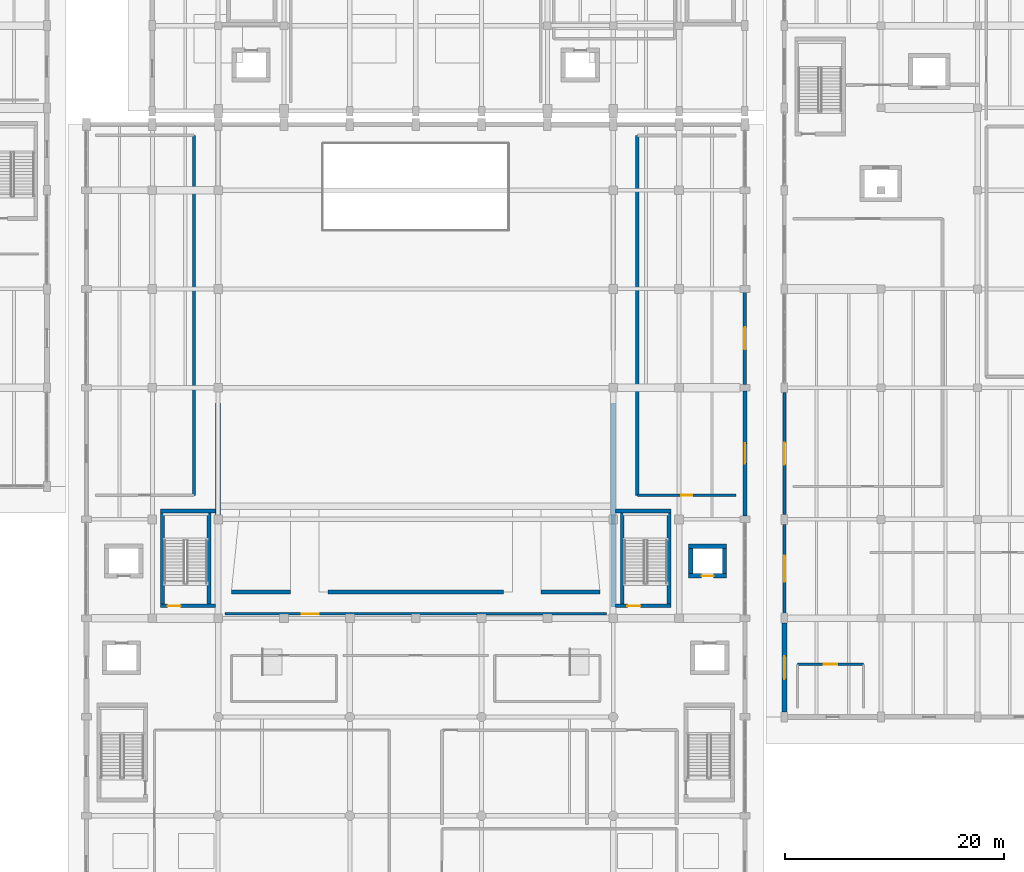
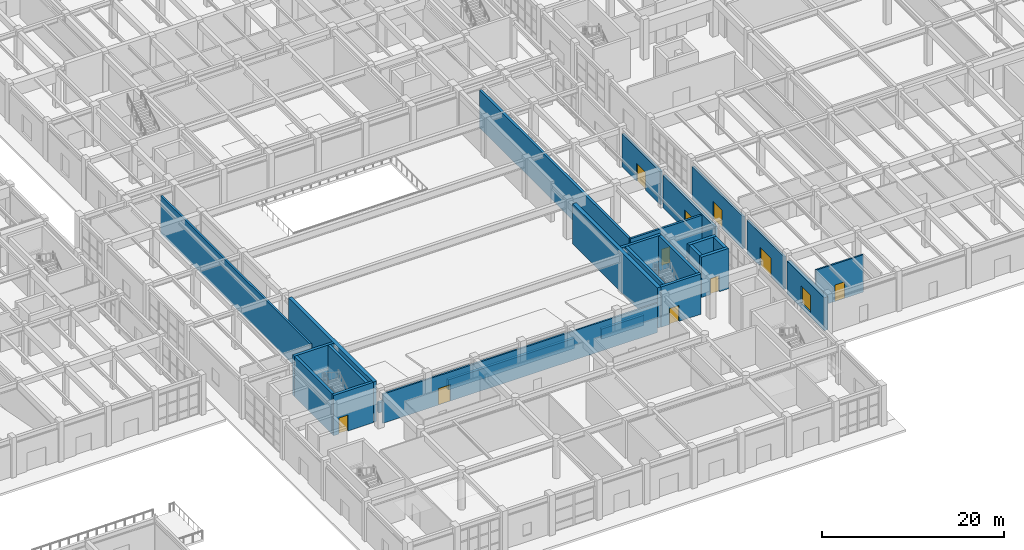
# One storey, part 72 of 91: 27 walls, 9 doors, 2 windows, 11 openings.
"""IFC4 building model written with IfcOpenShell, lengths in metres."""

from ifc_helpers import new_model, si_unit, direction, frame, frame_2d, origin, place, context, subcontext, project, spatial, rectangle, extrude, material, layer, layer_set, type_object, element, fill, save


model = new_model("IFC4")

# Units and contexts
model_context = context("Model", 3, precision=1e-05, world=origin(), true_north=direction((0.0, 1.0)))
body_context = subcontext(model_context, "Body", "Model", "MODEL_VIEW")
ifc_project = project(units=[si_unit("LENGTHUNIT", "METRE"), si_unit("AREAUNIT", "SQUARE_METRE"), si_unit("VOLUMEUNIT", "CUBIC_METRE"), si_unit("PLANEANGLEUNIT", "RADIAN"), si_unit("MASSUNIT", "GRAM", prefix="KILO")], contexts=[model_context])

# Site, building, storey
site_placement = place(None, origin())
site = spatial("IfcSite", under=ifc_project, at=site_placement, CompositionType="ELEMENT")
building_placement = place(site_placement, origin())
building = spatial("IfcBuilding", under=site, at=building_placement, Name="Vaelkrest Opera House", CompositionType="ELEMENT")
storey_placement = place(building_placement, origin())
storey = spatial("IfcBuildingStorey", under=building, at=storey_placement, Name="L00", CompositionType="ELEMENT", Elevation=0.0)

# Wall, opening, door
ifc_material_1 = material(Name="Douglas fir glulam GL28h", Category="wood")
ifc_layer_1 = layer(ifc_material_1, 0.2548828125)
ifc_layer_set_1 = layer_set([ifc_layer_1], Name="Douglas fir glulam GL28h")
wall_type_1 = type_object("IfcWallType", Name="EW01", PredefinedType="STANDARD", material=ifc_layer_set_1)
wall_1_placement = place(storey_placement, frame((33.60009765625, -28.35205078125, 0.0), z_axis=(0.0, 0.0, 1.0), x_axis=(0.0, 1.0, 0.0)))
wall_1 = element("IfcWall", 1, at=wall_1_placement, inside=storey, type_object=wall_type_1, Name="Exterior facade wall EW-V4-L00-0211", PredefinedType="STANDARD", context=body_context, shape_type="SweptSolid", body=[
    extrude(rectangle(XDim=8.10400390625, YDim=0.2548828125, at=frame_2d((4.052001953125, 0.0))), origin(), (0.0, 0.0, 1.0), 4.404052734375),
])
opening_1_placement = place(wall_1_placement, frame((2.85205078125, 0.0, 0.0)))
opening_1 = element("IfcOpeningElement", 2, at=opening_1_placement, cuts=wall_1, Name="Opening ED24", PredefinedType="OPENING", context=body_context, shape_type="SweptSolid", body=[
    extrude(rectangle(XDim=2.39990234375, YDim=2.5, at=frame_2d((1.199951171875, 1.25))), frame((0.0, 0.137451171875, 0.0), z_axis=(0.0, -1.0, 0.0), x_axis=(1.0, 0.0, 0.0)), (0.0, 0.0, 1.0), 0.27490234375),
])
ifc_material_2 = material(Name="Dark bronze anodized aluminium", Category="aluminium")
door_type_1 = type_object("IfcDoorType", Name="EDT08", OperationType="DOUBLE_DOOR_SINGLE_SWING", PredefinedType="DOOR", material=ifc_material_2)
door_1_placement = place(opening_1_placement, origin())
door_1 = element("IfcDoor", 3, at=door_1_placement, inside=storey, type_object=door_type_1, Name="Exterior exit door ED24", OperationType="DOUBLE_DOOR_SINGLE_SWING", OverallHeight=2.5, OverallWidth=2.39990234375, PredefinedType="DOOR", context=body_context, shape_type="SweptSolid", body=[
    extrude(rectangle(XDim=2.39990234375, YDim=2.5, at=frame_2d((1.199951171875, 1.25))), frame((0.0, 0.02490234375, 0.0), z_axis=(0.0, -1.0, 0.0), x_axis=(1.0, 0.0, 0.0)), (0.0, 0.0, 1.0), 0.050048828125),
])
fill(opening_1, door_1)

ifc_layer_2 = layer(ifc_material_1, 0.27490234375)
ifc_layer_set_2 = layer_set([ifc_layer_2], Name="Douglas fir glulam GL28h")
wall_type_2 = type_object("IfcWallType", Name="EW02", PredefinedType="STANDARD", material=ifc_layer_set_2)
wall_2_placement = place(storey_placement, frame((33.60009765625, -19.35205078125, 0.0), z_axis=(0.0, 0.0, 1.0), x_axis=(0.0, 1.0, 0.0)))
wall_2 = element("IfcWall", 4, at=wall_2_placement, inside=storey, type_object=wall_type_2, Name="Exterior facade wall EW-V4-L00-0212", PredefinedType="STANDARD", context=body_context, shape_type="SweptSolid", body=[
    extrude(rectangle(XDim=11.10400390625, YDim=0.27490234375, at=frame_2d((5.552001953125, 0.0))), origin(), (0.0, 0.0, 1.0), 4.320068359375),
])
opening_2_placement = place(wall_2_placement, frame((4.552001953125, 0.0, 0.0)))
opening_2 = element("IfcOpeningElement", 5, at=opening_2_placement, cuts=wall_2, Name="Opening ED25", PredefinedType="OPENING", context=body_context, shape_type="SweptSolid", body=[
    extrude(rectangle(XDim=2.0, YDim=2.39990234375, at=frame_2d((1.0, 1.199951171875))), frame((0.0, 0.1474609375, 0.0), z_axis=(0.0, -1.0, 0.0), x_axis=(1.0, 0.0, 0.0)), (0.0, 0.0, 1.0), 0.294921875),
])
door_type_2 = type_object("IfcDoorType", Name="EDT01", OperationType="DOUBLE_DOOR_SINGLE_SWING", PredefinedType="DOOR", material=ifc_material_2)
door_2_placement = place(opening_2_placement, origin())
door_2 = element("IfcDoor", 6, at=door_2_placement, inside=storey, type_object=door_type_2, Name="Exterior exit door ED25", OperationType="DOUBLE_DOOR_SINGLE_SWING", OverallHeight=2.39990234375, OverallWidth=2.0, PredefinedType="DOOR", context=body_context, shape_type="SweptSolid", body=[
    extrude(rectangle(XDim=2.0, YDim=2.39990234375, at=frame_2d((1.0, 1.199951171875))), frame((0.0, 0.02490234375, 0.0), z_axis=(0.0, -1.0, 0.0), x_axis=(1.0, 0.0, 0.0)), (0.0, 0.0, 1.0), 0.050048828125),
])
fill(opening_2, door_2)

ifc_material_3 = material(Name="American black walnut acoustic timber", Category="wood")
ifc_layer_3 = layer(ifc_material_3, 0.31494140625)
ifc_layer_set_3 = layer_set([ifc_layer_3], Name="American black walnut acoustic timber")
wall_type_3 = type_object("IfcWallType", Name="EW04", PredefinedType="STANDARD", material=ifc_layer_set_3)
wall_3_placement = place(storey_placement, frame((30.0, 0.902099609375, 0.0), z_axis=(0.0, 0.0, 1.0), x_axis=(0.0, -1.0, 0.0)))
wall_3 = element("IfcWall", 7, at=wall_3_placement, inside=storey, type_object=wall_type_3, Name="Exterior facade wall EW-V1-L00-0024", PredefinedType="STANDARD", context=body_context, shape_type="SweptSolid", body=[
    extrude(rectangle(XDim=8.404052734375, YDim=0.31494140625, at=frame_2d((4.2021484375, 0.0))), origin(), (0.0, 0.0, 1.0), 4.404052734375),
])
opening_3_placement = place(wall_3_placement, frame((3.201904296875, 0.0, 0.0)))
opening_3 = element("IfcOpeningElement", 8, at=opening_3_placement, cuts=wall_3, Name="Opening ED09", PredefinedType="OPENING", context=body_context, shape_type="SweptSolid", body=[
    extrude(rectangle(XDim=2.0, YDim=2.39990234375, at=frame_2d((1.0, 1.199951171875))), frame((0.0, 0.16748046875, 0.0), z_axis=(0.0, -1.0, 0.0), x_axis=(1.0, 0.0, 0.0)), (0.0, 0.0, 1.0), 0.3349609375),
])
door_3_placement = place(opening_3_placement, origin())
door_3 = element("IfcDoor", 9, at=door_3_placement, inside=storey, type_object=door_type_2, Name="Exterior exit door ED09", OperationType="DOUBLE_DOOR_SINGLE_SWING", OverallHeight=2.39990234375, OverallWidth=2.0, PredefinedType="DOOR", context=body_context, shape_type="SweptSolid", body=[
    extrude(rectangle(XDim=2.0, YDim=2.39990234375, at=frame_2d((1.0, 1.199951171875))), frame((0.0, 0.02490234375, 0.0), z_axis=(0.0, -1.0, 0.0), x_axis=(1.0, 0.0, 0.0)), (0.0, 0.0, 1.0), 0.050048828125),
])
fill(opening_3, door_3)

# Wall, opening, window
ifc_layer_4 = layer(ifc_material_3, 0.3349609375)
ifc_layer_set_4 = layer_set([ifc_layer_4], Name="American black walnut acoustic timber")
wall_type_4 = type_object("IfcWallType", Name="EW05", PredefinedType="STANDARD", material=ifc_layer_set_4)
wall_4_placement = place(storey_placement, frame((30.0, -8.097900390625, 0.0), z_axis=(0.0, 0.0, 1.0), x_axis=(0.0, -1.0, 0.0)))
wall_4 = element("IfcWall", 10, at=wall_4_placement, inside=storey, type_object=wall_type_4, Name="Exterior facade wall EW-V1-L00-0025", PredefinedType="STANDARD", context=body_context, shape_type="SweptSolid", body=[
    extrude(rectangle(XDim=11.404052734375, YDim=0.3349609375, at=frame_2d((5.7021484375, 0.0))), origin(), (0.0, 0.0, 1.0), 4.320068359375),
])
opening_4_placement = place(wall_4_placement, frame((4.777099609375, 0.0, 0.85009765625)))
opening_4 = element("IfcOpeningElement", 11, at=opening_4_placement, cuts=wall_4, Name="Opening WN006", PredefinedType="OPENING", context=body_context, shape_type="SweptSolid", body=[
    extrude(rectangle(XDim=1.85009765625, YDim=1.75, at=frame_2d((0.925048828125, 0.875))), frame((0.0, 0.177490234375, 0.0), z_axis=(0.0, -1.0, 0.0), x_axis=(1.0, 0.0, 0.0)), (0.0, 0.0, 1.0), 0.35498046875),
])
ifc_material_4 = material(Name="Double low-E insulated glazing", Category="glass")
window_type_1 = type_object("IfcWindowType", Name="WT06", PartitioningType="SINGLE_PANEL", PredefinedType="WINDOW", material=ifc_material_4)
window_1_placement = place(opening_4_placement, origin())
window_1 = element("IfcWindow", 12, at=window_1_placement, inside=storey, type_object=window_type_1, Name="Facade window WN006", OverallHeight=1.75, OverallWidth=1.85009765625, PartitioningType="SINGLE_PANEL", PredefinedType="WINDOW", context=body_context, shape_type="SweptSolid", body=[
    extrude(rectangle(XDim=1.85009765625, YDim=1.75, at=frame_2d((0.925048828125, 0.875))), frame((0.0, 0.030029296875, 0.0), z_axis=(0.0, -1.0, 0.0), x_axis=(1.0, 0.0, 0.0)), (0.0, 0.0, 1.0), 0.06005859375),
])
fill(opening_4, window_1)

ifc_material_5 = material(Name="Concrete C40/50", Category="concrete")
ifc_layer_5 = layer(ifc_material_5, 0.465087890625)
ifc_layer_set_5 = layer_set([ifc_layer_5], Name="Concrete C40/50")
wall_type_5 = type_object("IfcWallType", Name="EW10", PredefinedType="STANDARD", material=ifc_layer_set_5)
wall_5_placement = place(storey_placement, frame((33.60009765625, -37.35205078125, 0.0), z_axis=(0.0, 0.0, 1.0), x_axis=(0.0, 1.0, 0.0)))
wall_5 = element("IfcWall", 13, at=wall_5_placement, inside=storey, type_object=wall_type_5, Name="Exterior facade wall EW-V4-L00-0210", PredefinedType="STANDARD", context=body_context, shape_type="SweptSolid", body=[
    extrude(rectangle(XDim=8.10400390625, YDim=0.465087890625, at=frame_2d((4.052001953125, 0.0))), origin(), (0.0, 0.0, 1.0), 4.404052734375),
])
opening_5_placement = place(wall_5_placement, frame((3.001953125, 0.0, 0.60009765625)))
opening_5 = element("IfcOpeningElement", 14, at=opening_5_placement, cuts=wall_5, Name="Opening WN101", PredefinedType="OPENING", context=body_context, shape_type="SweptSolid", body=[
    extrude(rectangle(XDim=2.10009765625, YDim=2.35009765625, at=frame_2d((1.050048828125, 1.175048828125))), frame((0.0, 0.242431640625, 0.0), z_axis=(0.0, -1.0, 0.0), x_axis=(1.0, 0.0, 0.0)), (0.0, 0.0, 1.0), 0.485107421875),
])
window_type_2 = type_object("IfcWindowType", Name="WT23", PartitioningType="SINGLE_PANEL", PredefinedType="WINDOW", material=ifc_material_4)
window_2_placement = place(opening_5_placement, origin())
window_2 = element("IfcWindow", 15, at=window_2_placement, inside=storey, type_object=window_type_2, Name="Facade window WN101", OverallHeight=2.35009765625, OverallWidth=2.10009765625, PartitioningType="SINGLE_PANEL", PredefinedType="WINDOW", context=body_context, shape_type="SweptSolid", body=[
    extrude(rectangle(XDim=2.10009765625, YDim=2.35009765625, at=frame_2d((1.050048828125, 1.175048828125))), frame((0.0, 0.030029296875, 0.0), z_axis=(0.0, -1.0, 0.0), x_axis=(1.0, 0.0, 0.0)), (0.0, 0.0, 1.0), 0.06005859375),
])
fill(opening_5, window_2)

# Wall, opening, door
ifc_material_6 = material(Name="Gypsum acoustic board", Category="gypsum")
ifc_layer_6 = layer(ifc_material_6, 0.195068359375)
ifc_layer_set_6 = layer_set([ifc_layer_6], Name="Gypsum acoustic board")
wall_type_6 = type_object("IfcWallType", Name="PT06", PredefinedType="PARTITIONING", material=ifc_layer_set_6)
wall_6_placement = place(storey_placement, frame((34.800048828125, -33.0, 0.0), z_axis=(0.0, 0.0, 1.0), x_axis=(1.0, 0.0, 0.0)))
wall_6 = element("IfcWall", 16, at=wall_6_placement, inside=storey, type_object=wall_type_6, Name="Interior partition PT-V4-L00-0352", PredefinedType="PARTITIONING", context=body_context, shape_type="SweptSolid", body=[
    extrude(rectangle(XDim=6.0, YDim=0.195068359375, at=frame_2d((3.0, 0.0))), origin(), (0.0, 0.0, 1.0), 5.02001953125),
])
opening_6_placement = place(wall_6_placement, frame((2.3798828125, 0.0, 0.0)))
opening_6 = element("IfcOpeningElement", 17, at=opening_6_placement, cuts=wall_6, Name="Opening D141", PredefinedType="OPENING", context=body_context, shape_type="SweptSolid", body=[
    extrude(rectangle(XDim=1.239990234375, YDim=2.199951171875, at=frame_2d((0.6201171875, 1.10009765625))), frame((0.0, 0.107421875, 0.0), z_axis=(0.0, -1.0, 0.0), x_axis=(1.0, 0.0, 0.0)), (0.0, 0.0, 1.0), 0.215087890625),
])
door_type_3 = type_object("IfcDoorType", Name="DT08", OperationType="NOTDEFINED", PredefinedType="DOOR", material=ifc_material_3)
door_4_placement = place(opening_6_placement, origin())
door_4 = element("IfcDoor", 18, at=door_4_placement, inside=storey, type_object=door_type_3, Name="Interior door D141 (Fire Command Centre)", OperationType="SINGLE_SWING_LEFT", OverallHeight=2.199951171875, OverallWidth=1.239990234375, PredefinedType="DOOR", context=body_context, shape_type="SweptSolid", body=[
    extrude(rectangle(XDim=1.239990234375, YDim=2.199951171875, at=frame_2d((0.6201171875, 1.10009765625))), frame((0.0, 0.02490234375, 0.0), z_axis=(0.0, -1.0, 0.0), x_axis=(1.0, 0.0, 0.0)), (0.0, 0.0, 1.0), 0.050048828125),
])
fill(opening_6, door_4)

ifc_layer_7 = layer(ifc_material_3, 0.2099609375)
ifc_layer_set_7 = layer_set([ifc_layer_7], Name="American black walnut acoustic timber")
wall_type_7 = type_object("IfcWallType", Name="PT07", PredefinedType="PARTITIONING", material=ifc_layer_set_7)
wall_7_placement = place(storey_placement, frame((-17.39990234375, -28.39990234375, 0.0), z_axis=(0.0, 0.0, 1.0), x_axis=(1.0, 0.0, 0.0)))
wall_7 = element("IfcWall", 19, at=wall_7_placement, inside=storey, type_object=wall_type_7, Name="Interior partition PT-V1-L00-0029", PredefinedType="PARTITIONING", context=body_context, shape_type="SweptSolid", body=[
    extrude(rectangle(XDim=34.7998046875, YDim=0.2099609375, at=frame_2d((17.39990234375, 0.0))), origin(), (0.0, 0.0, 1.0), 3.9150390625),
])
opening_7_placement = place(wall_7_placement, frame((7.02490234375, 0.0, 0.0)))
opening_7 = element("IfcOpeningElement", 20, at=opening_7_placement, cuts=wall_7, Name="Opening D011", PredefinedType="OPENING", context=body_context, shape_type="SweptSolid", body=[
    extrude(rectangle(XDim=1.550048828125, YDim=2.199951171875, at=frame_2d((0.77490234375, 1.10009765625))), frame((0.0, 0.114990234375, 0.0), z_axis=(0.0, -1.0, 0.0), x_axis=(1.0, 0.0, 0.0)), (0.0, 0.0, 1.0), 0.22998046875),
])
door_type_4 = type_object("IfcDoorType", Name="DT13", OperationType="DOUBLE_DOOR_SINGLE_SWING", PredefinedType="DOOR", material=ifc_material_3)
door_5_placement = place(opening_7_placement, origin())
door_5 = element("IfcDoor", 21, at=door_5_placement, inside=storey, type_object=door_type_4, Name="Interior door D011 (Main Auditorium Stalls)", OperationType="DOUBLE_DOOR_SINGLE_SWING", OverallHeight=2.199951171875, OverallWidth=1.550048828125, PredefinedType="DOOR", context=body_context, shape_type="SweptSolid", body=[
    extrude(rectangle(XDim=1.550048828125, YDim=2.199951171875, at=frame_2d((0.77490234375, 1.10009765625))), frame((0.0, 0.02490234375, 0.0), z_axis=(0.0, -1.0, 0.0), x_axis=(1.0, 0.0, 0.0)), (0.0, 0.0, 1.0), 0.050048828125),
])
fill(opening_7, door_5)

# Wall
ifc_layer_8 = layer(ifc_material_5, 0.239990234375)
ifc_layer_set_8 = layer_set([ifc_layer_8], Name="Concrete C40/50")
wall_type_8 = type_object("IfcWallType", Name="PT09", PredefinedType="PARTITIONING", material=ifc_layer_set_8)
wall_8_placement = place(storey_placement, frame((-20.199951171875, -17.60009765625, 0.0), z_axis=(0.0, 0.0, 1.0), x_axis=(0.0, 1.0, 0.0)))
element("IfcWall", 22, at=wall_8_placement, inside=storey, type_object=wall_type_8, Name="Interior partition PT-V1-L00-0051", PredefinedType="PARTITIONING", context=body_context, shape_type="SweptSolid", body=[
    extrude(rectangle(XDim=32.800048828125, YDim=0.239990234375, at=frame_2d((16.39990234375, 0.0))), origin(), (0.0, 0.0, 1.0), 5.02001953125),
])

# Wall, opening, door
ifc_layer_9 = layer(ifc_material_5, 0.260009765625)
ifc_layer_set_9 = layer_set([ifc_layer_9], Name="Concrete C40/50")
wall_type_9 = type_object("IfcWallType", Name="PT10", PredefinedType="PARTITIONING", material=ifc_layer_set_9)
wall_9_placement = place(storey_placement, frame((20.199951171875, -17.60009765625, 0.0), z_axis=(0.0, 0.0, 1.0), x_axis=(1.0, 0.0, 0.0)))
wall_9 = element("IfcWall", 23, at=wall_9_placement, inside=storey, type_object=wall_type_9, Name="Interior partition PT-V1-L00-0052", PredefinedType="PARTITIONING", context=body_context, shape_type="SweptSolid", body=[
    extrude(rectangle(XDim=9.0, YDim=0.260009765625, at=frame_2d((4.5, 0.0))), origin(), (0.0, 0.0, 1.0), 5.02001953125),
])
opening_8_placement = place(wall_9_placement, frame((3.989990234375, 0.0, 0.0)))
opening_8 = element("IfcOpeningElement", 24, at=opening_8_placement, cuts=wall_9, Name="Opening D019", PredefinedType="OPENING", context=body_context, shape_type="SweptSolid", body=[
    extrude(rectangle(XDim=1.02001953125, YDim=2.14990234375, at=frame_2d((0.510009765625, 1.074951171875))), frame((0.0, 0.139892578125, 0.0), z_axis=(0.0, -1.0, 0.0), x_axis=(1.0, 0.0, 0.0)), (0.0, 0.0, 1.0), 0.280029296875),
])
door_type_5 = type_object("IfcDoorType", Name="DT04", OperationType="NOTDEFINED", PredefinedType="DOOR", material=ifc_material_3)
door_6_placement = place(opening_8_placement, origin())
door_6 = element("IfcDoor", 25, at=door_6_placement, inside=storey, type_object=door_type_5, Name="Interior door D019 (Education Studio)", OperationType="SINGLE_SWING_LEFT", OverallHeight=2.14990234375, OverallWidth=1.02001953125, PredefinedType="DOOR", context=body_context, shape_type="SweptSolid", body=[
    extrude(rectangle(XDim=1.02001953125, YDim=2.14990234375, at=frame_2d((0.510009765625, 1.074951171875))), frame((0.0, 0.02490234375, 0.0), z_axis=(0.0, -1.0, 0.0), x_axis=(1.0, 0.0, 0.0)), (0.0, 0.0, 1.0), 0.050048828125),
])
fill(opening_8, door_6)

# Walls
ifc_layer_10 = layer(ifc_material_5, 0.304931640625)
ifc_layer_set_10 = layer_set([ifc_layer_10], Name="Concrete C40/50")
wall_type_10 = type_object("IfcWallType", Name="PT12", PredefinedType="PARTITIONING", material=ifc_layer_set_10)
wall_10_placement = place(storey_placement, frame((20.199951171875, -17.60009765625, 0.0), z_axis=(0.0, 0.0, 1.0), x_axis=(0.0, 1.0, 0.0)))
element("IfcWall", 26, at=wall_10_placement, inside=storey, type_object=wall_type_10, Name="Interior partition PT-V1-L00-0054", PredefinedType="PARTITIONING", context=body_context, shape_type="SweptSolid", body=[
    extrude(rectangle(XDim=32.800048828125, YDim=0.304931640625, at=frame_2d((16.39990234375, 0.0))), origin(), (0.0, 0.0, 1.0), 5.02001953125),
])
ifc_material_7 = material(Name="Concrete C50/60", Category="concrete")
ifc_layer_11 = layer(ifc_material_7, 0.35009765625)
ifc_layer_set_11 = layer_set([ifc_layer_11], Name="Concrete C50/60")
wall_type_11 = type_object("IfcWallType", Name="SW01", PredefinedType="SHEAR", material=ifc_layer_set_11)
wall_11_placement = place(storey_placement, frame((-16.800048828125, -26.39990234375, 0.0), z_axis=(0.0, 0.0, 1.0), x_axis=(1.0, 0.0, 0.0)))
element("IfcWall", 27, at=wall_11_placement, inside=storey, type_object=wall_type_11, Name="Auditorium seating tier rear wall L00-1", PredefinedType="SHEAR", context=body_context, shape_type="SweptSolid", body=[
    extrude(rectangle(XDim=5.400146484375, YDim=0.35009765625, at=frame_2d((2.7001953125, 0.0))), origin(), (0.0, 0.0, 1.0), 1.360107421875),
])
wall_12_placement = place(storey_placement, frame((-8.0, -26.39990234375, 0.0), z_axis=(0.0, 0.0, 1.0), x_axis=(1.0, 0.0, 0.0)))
element("IfcWall", 28, at=wall_12_placement, inside=storey, type_object=wall_type_11, Name="Auditorium seating tier rear wall L00-2", PredefinedType="SHEAR", context=body_context, shape_type="SweptSolid", body=[
    extrude(rectangle(XDim=16.0, YDim=0.35009765625, at=frame_2d((8.0, 0.0))), origin(), (0.0, 0.0, 1.0), 1.360107421875),
])
wall_13_placement = place(storey_placement, frame((11.39990234375, -26.39990234375, 0.0), z_axis=(0.0, 0.0, 1.0), x_axis=(1.0, 0.0, 0.0)))
element("IfcWall", 29, at=wall_13_placement, inside=storey, type_object=wall_type_11, Name="Auditorium seating tier rear wall L00-3", PredefinedType="SHEAR", context=body_context, shape_type="SweptSolid", body=[
    extrude(rectangle(XDim=5.400146484375, YDim=0.35009765625, at=frame_2d((2.7001953125, 0.0))), origin(), (0.0, 0.0, 1.0), 1.360107421875),
])

# Wall, opening, door
wall_14_placement = place(storey_placement, frame((-18.22509765625, -27.675048828125, 0.0), z_axis=(0.0, 0.0, 1.0), x_axis=(-1.0, 0.0, 0.0)))
wall_14 = element("IfcWall", 30, at=wall_14_placement, inside=storey, type_object=wall_type_11, Name="Stair core ST01 wall L00 S", PredefinedType="SHEAR", context=body_context, shape_type="SweptSolid", body=[
    extrude(rectangle(XDim=5.02490234375, YDim=0.35009765625, at=frame_2d((2.512451171875, 0.0))), origin(), (0.0, 0.0, 1.0), 5.39990234375),
])
opening_9_placement = place(wall_14_placement, frame((3.195068359375, 0.0, 0.0)))
opening_9 = element("IfcOpeningElement", 31, at=opening_9_placement, cuts=wall_14, Name="Opening SD-ST01-L00", PredefinedType="OPENING", context=body_context, shape_type="SweptSolid", body=[
    extrude(rectangle(XDim=1.179931640625, YDim=2.14990234375, at=frame_2d((0.58984375, 1.074951171875))), frame((0.0, 0.18505859375, 0.0), z_axis=(0.0, -1.0, 0.0), x_axis=(1.0, 0.0, 0.0)), (0.0, 0.0, 1.0), 0.3701171875),
])
door_type_6 = type_object("IfcDoorType", Name="DT07", OperationType="NOTDEFINED", PredefinedType="DOOR", material=ifc_material_3)
door_7_placement = place(opening_9_placement, origin())
door_7 = element("IfcDoor", 32, at=door_7_placement, inside=storey, type_object=door_type_6, Name="Protected stair door SD-ST01-L00", OperationType="SINGLE_SWING_LEFT", OverallHeight=2.14990234375, OverallWidth=1.179931640625, PredefinedType="DOOR", context=body_context, shape_type="SweptSolid", body=[
    extrude(rectangle(XDim=1.179931640625, YDim=2.14990234375, at=frame_2d((0.58984375, 1.074951171875))), frame((0.0, 0.02490234375, 0.0), z_axis=(0.0, -1.0, 0.0), x_axis=(1.0, 0.0, 0.0)), (0.0, 0.0, 1.0), 0.050048828125),
])
fill(opening_9, door_7)

# Walls
wall_15_placement = place(storey_placement, frame((-23.074951171875, -27.5, 0.0), z_axis=(0.0, 0.0, 1.0), x_axis=(0.0, 1.0, 0.0)))
element("IfcWall", 33, at=wall_15_placement, inside=storey, type_object=wall_type_11, Name="Stair core ST01 wall L00 W", PredefinedType="SHEAR", context=body_context, shape_type="SweptSolid", body=[
    extrude(rectangle(XDim=8.300048828125, YDim=0.35009765625, at=frame_2d((4.14990234375, 0.0))), origin(), (0.0, 0.0, 1.0), 5.39990234375),
])
wall_16_placement = place(storey_placement, frame((-23.25, -19.02490234375, 0.0), z_axis=(0.0, 0.0, 1.0), x_axis=(1.0, 0.0, 0.0)))
element("IfcWall", 34, at=wall_16_placement, inside=storey, type_object=wall_type_11, Name="Stair core ST01 wall L00 N", PredefinedType="SHEAR", context=body_context, shape_type="SweptSolid", body=[
    extrude(rectangle(XDim=5.02490234375, YDim=0.35009765625, at=frame_2d((2.512451171875, 0.0))), origin(), (0.0, 0.0, 1.0), 5.39990234375),
])
wall_17_placement = place(storey_placement, frame((-18.824951171875, -19.199951171875, 0.0), z_axis=(0.0, 0.0, 1.0), x_axis=(0.0, -1.0, 0.0)))
element("IfcWall", 35, at=wall_17_placement, inside=storey, type_object=wall_type_11, Name="Stair core ST01 wall L00 E", PredefinedType="SHEAR", context=body_context, shape_type="SweptSolid", body=[
    extrude(rectangle(XDim=8.300048828125, YDim=0.35009765625, at=frame_2d((4.14990234375, 0.0))), origin(), (0.0, 0.0, 1.0), 5.39990234375),
])

# Wall, opening, door
wall_18_placement = place(storey_placement, frame((23.25, -27.675048828125, 0.0), z_axis=(0.0, 0.0, 1.0), x_axis=(-1.0, 0.0, 0.0)))
wall_18 = element("IfcWall", 36, at=wall_18_placement, inside=storey, type_object=wall_type_11, Name="Stair core ST02 wall L00 S", PredefinedType="SHEAR", context=body_context, shape_type="SweptSolid", body=[
    extrude(rectangle(XDim=5.02490234375, YDim=0.35009765625, at=frame_2d((2.512451171875, 0.0))), origin(), (0.0, 0.0, 1.0), 5.39990234375),
])
opening_10_placement = place(wall_18_placement, frame((2.77001953125, 0.0, 0.0)))
opening_10 = element("IfcOpeningElement", 37, at=opening_10_placement, cuts=wall_18, Name="Opening SD-ST02-L00", PredefinedType="OPENING", context=body_context, shape_type="SweptSolid", body=[
    extrude(rectangle(XDim=1.179931640625, YDim=2.14990234375, at=frame_2d((0.58984375, 1.074951171875))), frame((0.0, 0.18505859375, 0.0), z_axis=(0.0, -1.0, 0.0), x_axis=(1.0, 0.0, 0.0)), (0.0, 0.0, 1.0), 0.3701171875),
])
door_8_placement = place(opening_10_placement, origin())
door_8 = element("IfcDoor", 38, at=door_8_placement, inside=storey, type_object=door_type_6, Name="Protected stair door SD-ST02-L00", OperationType="SINGLE_SWING_RIGHT", OverallHeight=2.14990234375, OverallWidth=1.179931640625, PredefinedType="DOOR", context=body_context, shape_type="SweptSolid", body=[
    extrude(rectangle(XDim=1.179931640625, YDim=2.14990234375, at=frame_2d((0.58984375, 1.074951171875))), frame((0.0, 0.02490234375, 0.0), z_axis=(0.0, -1.0, 0.0), x_axis=(1.0, 0.0, 0.0)), (0.0, 0.0, 1.0), 0.050048828125),
])
fill(opening_10, door_8)

# Walls
wall_19_placement = place(storey_placement, frame((18.824951171875, -27.5, 0.0), z_axis=(0.0, 0.0, 1.0), x_axis=(0.0, 1.0, 0.0)))
element("IfcWall", 39, at=wall_19_placement, inside=storey, type_object=wall_type_11, Name="Stair core ST02 wall L00 W", PredefinedType="SHEAR", context=body_context, shape_type="SweptSolid", body=[
    extrude(rectangle(XDim=8.300048828125, YDim=0.35009765625, at=frame_2d((4.14990234375, 0.0))), origin(), (0.0, 0.0, 1.0), 5.39990234375),
])
wall_20_placement = place(storey_placement, frame((18.22509765625, -19.02490234375, 0.0), z_axis=(0.0, 0.0, 1.0), x_axis=(1.0, 0.0, 0.0)))
element("IfcWall", 40, at=wall_20_placement, inside=storey, type_object=wall_type_11, Name="Stair core ST02 wall L00 N", PredefinedType="SHEAR", context=body_context, shape_type="SweptSolid", body=[
    extrude(rectangle(XDim=5.02490234375, YDim=0.35009765625, at=frame_2d((2.512451171875, 0.0))), origin(), (0.0, 0.0, 1.0), 5.39990234375),
])
wall_21_placement = place(storey_placement, frame((23.074951171875, -19.199951171875, 0.0), z_axis=(0.0, 0.0, 1.0), x_axis=(0.0, -1.0, 0.0)))
element("IfcWall", 41, at=wall_21_placement, inside=storey, type_object=wall_type_11, Name="Stair core ST02 wall L00 E", PredefinedType="SHEAR", context=body_context, shape_type="SweptSolid", body=[
    extrude(rectangle(XDim=8.300048828125, YDim=0.35009765625, at=frame_2d((4.14990234375, 0.0))), origin(), (0.0, 0.0, 1.0), 5.39990234375),
])

# Wall, opening, door
ifc_layer_12 = layer(ifc_material_7, 0.389892578125)
ifc_layer_set_12 = layer_set([ifc_layer_12], Name="Concrete C50/60")
wall_type_12 = type_object("IfcWallType", Name="SW02", PredefinedType="SHEAR", material=ifc_layer_set_12)
wall_22_placement = place(storey_placement, frame((28.340087890625, -24.945068359375, 0.0), z_axis=(0.0, 0.0, 1.0), x_axis=(-1.0, 0.0, 0.0)))
wall_22 = element("IfcWall", 42, at=wall_22_placement, inside=storey, type_object=wall_type_12, Name="Lift shaft LP02 wall L00 S", PredefinedType="SHEAR", context=body_context, shape_type="SweptSolid", body=[
    extrude(rectangle(XDim=3.47998046875, YDim=0.389892578125, at=frame_2d((1.739990234375, 0.0))), origin(), (0.0, 0.0, 1.0), 5.39990234375),
])
opening_11_placement = place(wall_22_placement, frame((1.18994140625, 0.0, 0.0)))
opening_11 = element("IfcOpeningElement", 43, at=opening_11_placement, cuts=wall_22, Name="Opening LD-LP02-L00", PredefinedType="OPENING", context=body_context, shape_type="SweptSolid", body=[
    extrude(rectangle(XDim=1.10009765625, YDim=2.14990234375, at=frame_2d((0.550048828125, 1.074951171875))), frame((0.0, 0.204833984375, 0.0), z_axis=(0.0, -1.0, 0.0), x_axis=(1.0, 0.0, 0.0)), (0.0, 0.0, 1.0), 0.409912109375),
])
door_type_7 = type_object("IfcDoorType", Name="LDT01", OperationType="SLIDING_TO_LEFT", PredefinedType="DOOR", material=ifc_material_2)
door_9_placement = place(opening_11_placement, origin())
door_9 = element("IfcDoor", 44, at=door_9_placement, inside=storey, type_object=door_type_7, Name="Lift landing sliding door LD-LP02-L00", OperationType="SLIDING_TO_LEFT", OverallHeight=2.14990234375, OverallWidth=1.10009765625, PredefinedType="DOOR", context=body_context, shape_type="SweptSolid", body=[
    extrude(rectangle(XDim=1.10009765625, YDim=2.14990234375, at=frame_2d((0.550048828125, 1.074951171875))), frame((0.0, 0.02490234375, 0.0), z_axis=(0.0, -1.0, 0.0), x_axis=(1.0, 0.0, 0.0)), (0.0, 0.0, 1.0), 0.050048828125),
])
fill(opening_11, door_9)

# Walls
wall_23_placement = place(storey_placement, frame((24.860107421875, -22.2548828125, 0.0), z_axis=(0.0, 0.0, 1.0), x_axis=(1.0, 0.0, 0.0)))
element("IfcWall", 45, at=wall_23_placement, inside=storey, type_object=wall_type_12, Name="Lift shaft LP02 wall L00 N", PredefinedType="SHEAR", context=body_context, shape_type="SweptSolid", body=[
    extrude(rectangle(XDim=3.47998046875, YDim=0.389892578125, at=frame_2d((1.739990234375, 0.0))), origin(), (0.0, 0.0, 1.0), 5.39990234375),
])
for number, where, z_axis, x_axis, name in (
    (46, (25.054931640625, -24.75, 0.0), (0.0, 0.0, 1.0), (0.0, 1.0, 0.0), "Lift shaft LP02 wall L00 W"),
    (47, (28.14501953125, -22.449951171875, 0.0), (0.0, 0.0, 1.0), (0.0, -1.0, 0.0), "Lift shaft LP02 wall L00 E"),
):
    element("IfcWall", number, at=place(storey_placement, frame(where, z_axis=z_axis, x_axis=x_axis)), inside=storey, type_object=wall_type_12, Name=name, PredefinedType="SHEAR", context=body_context, shape_type="SweptSolid", body=[
        extrude(rectangle(XDim=2.300048828125, YDim=0.389892578125, at=frame_2d((1.14990234375, 0.0))), origin(), (0.0, 0.0, 1.0), 5.39990234375),
    ])
ifc_layer_13 = layer(ifc_material_7, 0.449951171875)
ifc_layer_set_13 = layer_set([ifc_layer_13], Name="Concrete C50/60")
wall_type_13 = type_object("IfcWallType", Name="SW03", PredefinedType="SHEAR", material=ifc_layer_set_13)
for number, where, z_axis, x_axis, name in (
    (48, (-18.0, -27.800048828125, 0.0), (0.0, 0.0, 1.0), (0.0, 1.0, 0.0), "Auditorium shell wall W1 L00"),
    (49, (18.0, -27.800048828125, 0.0), (0.0, 0.0, 1.0), (0.0, 1.0, 0.0), "Auditorium shell wall E1 L00"),
):
    element("IfcWall", number, at=place(storey_placement, frame(where, z_axis=z_axis, x_axis=x_axis)), inside=storey, type_object=wall_type_13, Name=name, PredefinedType="SHEAR", context=body_context, shape_type="SweptSolid", body=[
        extrude(rectangle(XDim=18.60009765625, YDim=0.449951171875, at=frame_2d((9.300048828125, 0.0))), origin(), (0.0, 0.0, 1.0), 5.39990234375),
    ])

save(model, "model.ifc")
